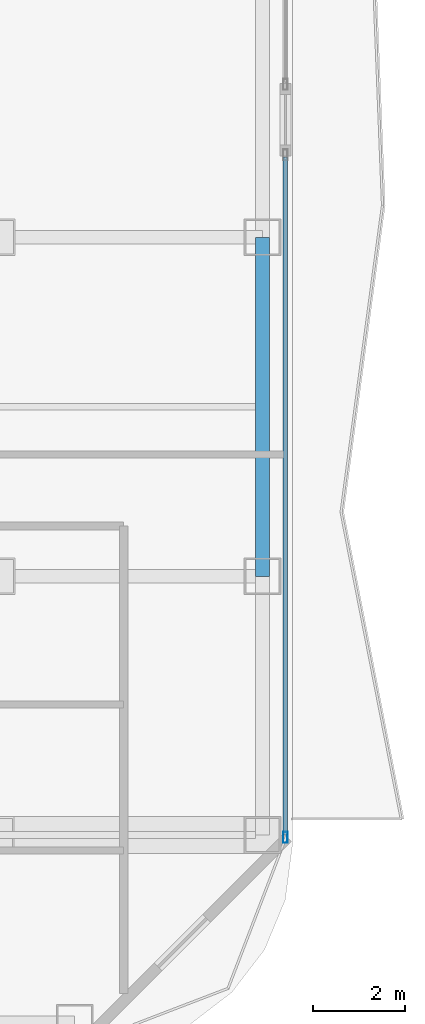
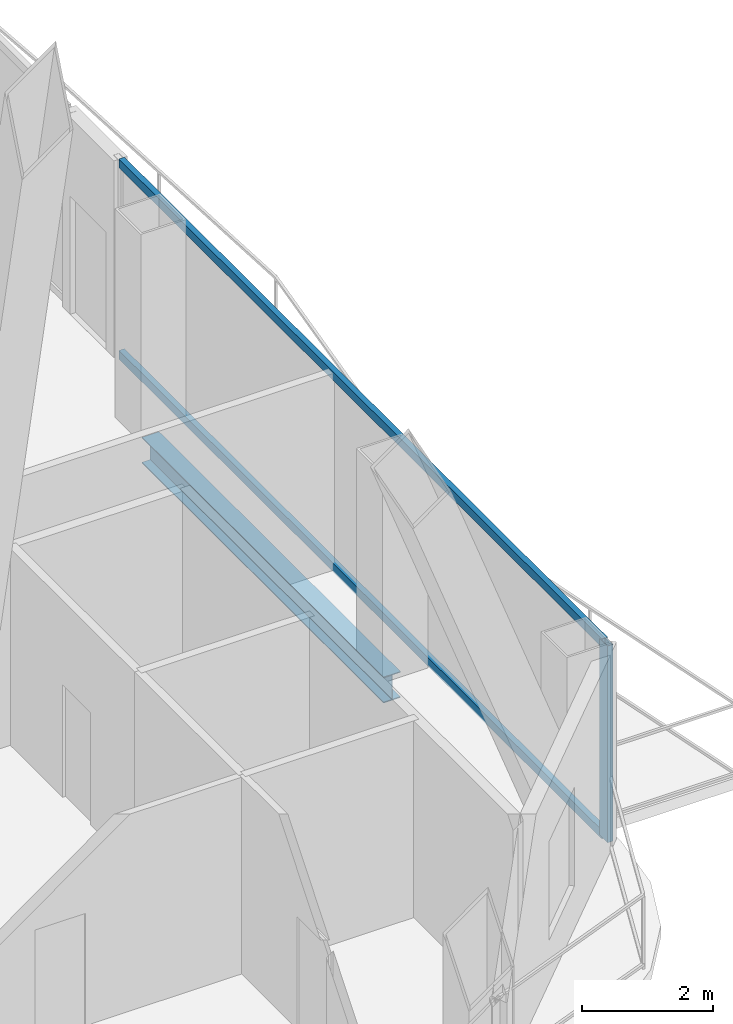
# One storey, part 12 of 33: 3 members, 1 beam, 1 element without a shape of its own.
"""IFC4 building model written with IfcOpenShell, lengths in metres."""

from ifc_helpers import new_model, si_unit, direction, frame, origin, origin_2d, place, context, subcontext, project, spatial, hollow_rectangle, i_section, extrude, material, layer, layer_set, material_profile, profile_set, type_object, element, aggregate, save


model = new_model("IFC4")

# Units and contexts
model_context = context("Model", 3, precision=1e-05, world=origin(), true_north=direction((0.0, 1.0)))
body_context = subcontext(model_context, "Body", "Model", "MODEL_VIEW")
ifc_project = project(units=[si_unit("LENGTHUNIT", "METRE"), si_unit("AREAUNIT", "SQUARE_METRE"), si_unit("VOLUMEUNIT", "CUBIC_METRE"), si_unit("PLANEANGLEUNIT", "RADIAN"), si_unit("MASSUNIT", "GRAM", prefix="KILO")], contexts=[model_context])

# Site, building, storey
site_placement = place(None, origin())
site = spatial("IfcSite", under=ifc_project, at=site_placement, CompositionType="ELEMENT")
building_placement = place(site_placement, origin())
building = spatial("IfcBuilding", under=site, at=building_placement, Name="Khorvyn Point Tower", CompositionType="ELEMENT")
storey_placement = place(building_placement, frame((0.0, 0.0, 38.39990234375)))
storey = spatial("IfcBuildingStorey", under=building, at=storey_placement, Name="L10", CompositionType="ELEMENT", Elevation=38.39990234375)

# Curtain wall, members
ifc_material_1 = material(Name="Anodised aluminium 6063-T6 and laminated Low-E glass", Category="aluminium")
ifc_layer = layer(ifc_material_1, 0.18994140625)
ifc_layer_set = layer_set([ifc_layer], Name="Stick-Built Finned Residential Curtain Wall CW-SYS-02")
curtain_wall_type = type_object("IfcCurtainWallType", Name="Stick-Built Finned Residential Curtain Wall CW-SYS-02", PredefinedType="NOTDEFINED", material=ifc_layer_set)
curtain_wall_placement = place(storey_placement, origin())
curtain_wall = element("IfcCurtainWall", 1, at=curtain_wall_placement, inside=storey, type_object=curtain_wall_type, Name="Curtain Wall", PredefinedType="NOTDEFINED")
ifc_material_2 = material(Name="Anodised aluminium 6063-T6", Category="aluminium")
ifc_material_profile_1 = material_profile(ifc_material_2, hollow_rectangle(XDim=0.10009765625, YDim=0.239990234375, WallThickness=0.0048828125, at=origin_2d()))
ifc_profile_set_1 = profile_set([ifc_material_profile_1], Name="Anodised aluminium 6063-T6 ALU-MUL-100x240")
member_type_1 = type_object("IfcMemberType", Name="Anodised Aluminium 6063-T6 Mullion ALU-MUL-100x240", PredefinedType="MULLION", material=ifc_profile_set_1)
member_1_placement = place(storey_placement, frame((27.949951171875, -20.5, 0.0), z_axis=(0.0, 0.0, 1.0), x_axis=(1.0, 0.0, 0.0)))
member_1 = element("IfcMember", 2, at=member_1_placement, type_object=member_type_1, Name="Transom", PredefinedType="MULLION", context=body_context, shape_type="SweptSolid", body=[
    extrude(hollow_rectangle(XDim=0.10009765625, YDim=0.239990234375, WallThickness=0.0048828125, at=origin_2d()), origin(), (0.0, 0.0, 1.0), 3.68017578125),
])
ifc_material_profile_2 = material_profile(ifc_material_2, hollow_rectangle(XDim=0.10009765625, YDim=0.159912109375, WallThickness=0.00439453125, at=origin_2d()))
ifc_profile_set_2 = profile_set([ifc_material_profile_2], Name="Anodised aluminium 6063-T6 ALU-TRN-100x160")
member_type_2 = type_object("IfcMemberType", Name="Anodised Aluminium 6063-T6 Transom ALU-TRN-100x160", PredefinedType="USERDEFINED", material=ifc_profile_set_2)
member_2_placement = place(storey_placement, frame((27.949951171875, -5.64990234375, 0.050048828125), z_axis=(0.0, -1.0, 0.0), x_axis=(1.0, 0.0, 0.0)))
member_2 = element("IfcMember", 3, at=member_2_placement, type_object=member_type_2, Name="Transom", ObjectType="TRANSOM", PredefinedType="USERDEFINED", context=body_context, shape_type="SweptSolid", body=[
    extrude(hollow_rectangle(XDim=0.10009765625, YDim=0.159912109375, WallThickness=0.00439453125, at=origin_2d()), origin(), (0.0, 0.0, 1.0), 14.800048828125),
])
member_3_placement = place(storey_placement, frame((27.949951171875, -5.64990234375, 3.630126953125), z_axis=(0.0, -1.0, 0.0), x_axis=(1.0, 0.0, 0.0)))
member_3 = element("IfcMember", 4, at=member_3_placement, type_object=member_type_2, Name="Transom", ObjectType="TRANSOM", PredefinedType="USERDEFINED", context=body_context, shape_type="SweptSolid", body=[
    extrude(hollow_rectangle(XDim=0.10009765625, YDim=0.159912109375, WallThickness=0.00439453125, at=origin_2d()), origin(), (0.0, 0.0, 1.0), 14.800048828125),
])
aggregate(curtain_wall, [member_1, member_2, member_3])

# Beam
ifc_material_3 = material(Name="Steel S355", Category="steel")
ifc_material_profile_3 = material_profile(ifc_material_3, i_section(OverallWidth=0.300048828125, OverallDepth=0.488037109375, WebThickness=0.010986328125, FlangeThickness=0.01806640625, at=origin_2d()))
ifc_profile_set_3 = profile_set([ifc_material_profile_3], Name="Steel S355 H488x300x11x18")
beam_type = type_object("IfcBeamType", Name="Steel S355 Spandrel H488x300x11x18", PredefinedType="SPANDREL", material=ifc_profile_set_3)
beam_placement = place(storey_placement, frame((27.449951171875, -14.800048828125, -0.4638671875), z_axis=(0.0, 1.0, 0.0), x_axis=(-1.0, 0.0, 0.0)))
element("IfcBeam", 5, at=beam_placement, inside=storey, type_object=beam_type, Name="Beam", PredefinedType="SPANDREL", context=body_context, shape_type="SweptSolid", body=[
    extrude(i_section(OverallWidth=0.300048828125, OverallDepth=0.488037109375, WebThickness=0.010986328125, FlangeThickness=0.01806640625, at=origin_2d()), origin(), (0.0, 0.0, 1.0), 7.400146484375),
])

save(model, "model.ifc")
